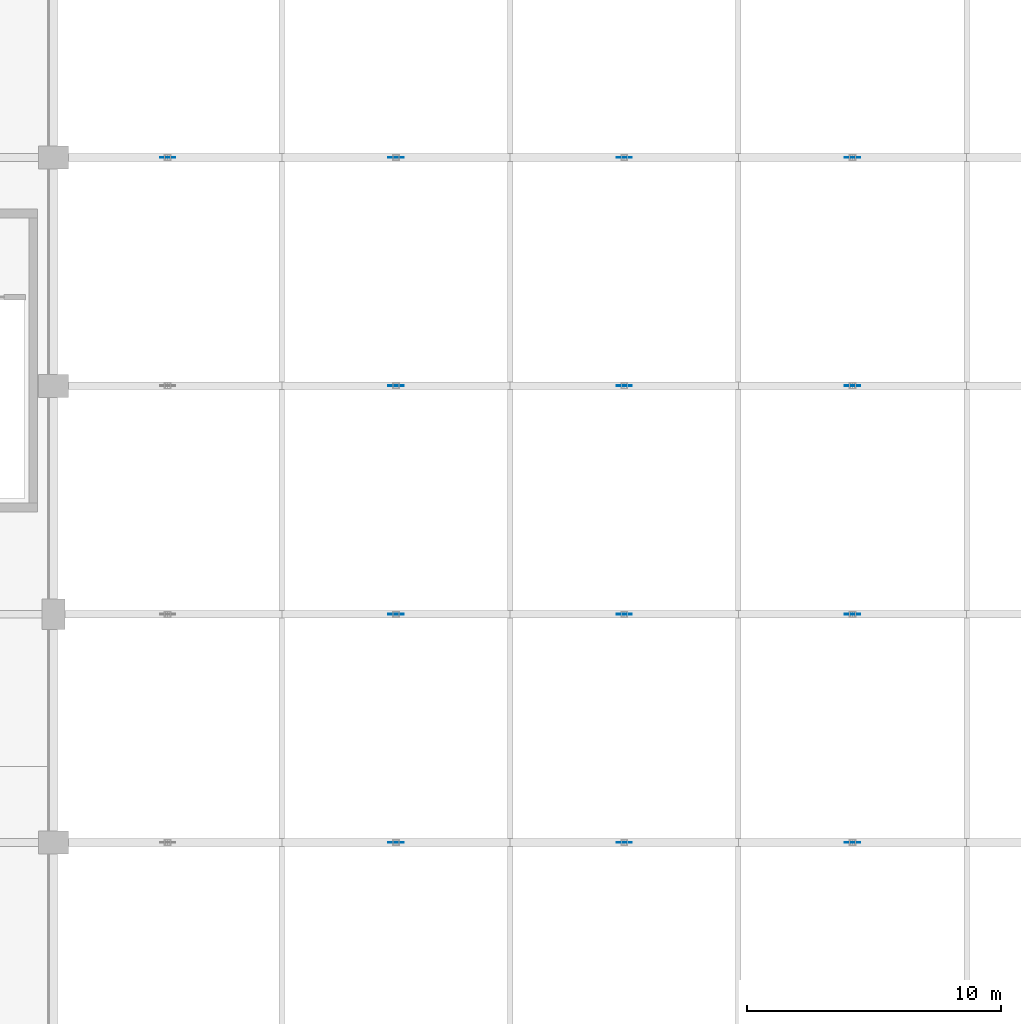
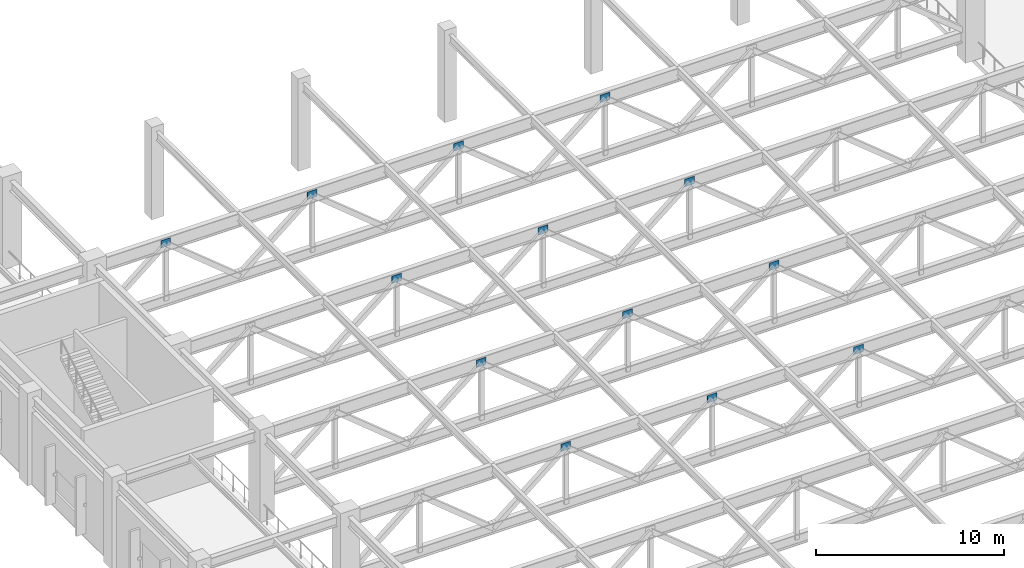
# One storey, part 184 of 223: 13 plates.
"""IFC4 building model written with IfcOpenShell, lengths in metres."""

from ifc_helpers import new_model, si_unit, direction, frame, origin, origin_2d, place, context, subcontext, project, spatial, rectangle, extrude, material, layer, layer_set, type_object, element, save


model = new_model("IFC4")

# Units and contexts
model_context = context("Model", 3, precision=1e-05, world=origin(), true_north=direction((0.0, 1.0)))
body_context = subcontext(model_context, "Body", "Model", "MODEL_VIEW")
ifc_project = project(units=[si_unit("LENGTHUNIT", "METRE"), si_unit("AREAUNIT", "SQUARE_METRE"), si_unit("VOLUMEUNIT", "CUBIC_METRE"), si_unit("PLANEANGLEUNIT", "RADIAN"), si_unit("MASSUNIT", "GRAM", prefix="KILO")], contexts=[model_context])

# Site, building, storey
site_placement = place(None, origin())
site = spatial("IfcSite", under=ifc_project, at=site_placement, CompositionType="ELEMENT")
building_placement = place(site_placement, origin())
building = spatial("IfcBuilding", under=site, at=building_placement, Name="Dornveld Trade and Exhibition Forum", CompositionType="ELEMENT")
storey_placement = place(building_placement, frame((0.0, 0.0, 6.0)))
storey = spatial("IfcBuildingStorey", under=building, at=storey_placement, Name="L01", CompositionType="ELEMENT", Elevation=6.0)

# Plates
ifc_material = material(Name="Steel S355J2", Category="steel")
ifc_layer = layer(ifc_material, 0.031982421875)
ifc_layer_set = layer_set([ifc_layer], Name="Steel S355J2")
plate_type = type_object("IfcPlateType", Name="PL-GUS-600x32", PredefinedType="USERDEFINED", material=ifc_layer_set)
for number, where, z_axis, x_axis, name in (
    (1, (40.5, 99.0, 4.945068359375), (0.0, 0.0, 1.0), (1.0, 0.0, 0.0), "Transfer truss gusset plate 38"),
    (2, (49.5, 99.0, 4.945068359375), (0.0, 0.0, 1.0), (1.0, 0.0, 0.0), "Transfer truss gusset plate 39"),
    (3, (58.5, 99.0, 4.945068359375), (0.0, 0.0, 1.0), (1.0, 0.0, 0.0), "Transfer truss gusset plate 40"),
    (4, (40.5, 108.0, 4.945068359375), (0.0, 0.0, 1.0), (1.0, 0.0, 0.0), "Transfer truss gusset plate 44"),
    (5, (49.5, 108.0, 4.945068359375), (0.0, 0.0, 1.0), (1.0, 0.0, 0.0), "Transfer truss gusset plate 45"),
    (6, (58.5, 108.0, 4.945068359375), (0.0, 0.0, 1.0), (1.0, 0.0, 0.0), "Transfer truss gusset plate 46"),
    (7, (40.5, 117.0, 4.945068359375), (0.0, 0.0, 1.0), (1.0, 0.0, 0.0), "Transfer truss gusset plate 50"),
    (8, (49.5, 117.0, 4.945068359375), (0.0, 0.0, 1.0), (1.0, 0.0, 0.0), "Transfer truss gusset plate 51"),
    (9, (58.5, 117.0, 4.945068359375), (0.0, 0.0, 1.0), (1.0, 0.0, 0.0), "Transfer truss gusset plate 52"),
    (10, (31.5, 126.0, 4.945068359375), (0.0, 0.0, 1.0), (1.0, 0.0, 0.0), "Transfer truss gusset plate 55"),
    (11, (40.5, 126.0, 4.945068359375), (0.0, 0.0, 1.0), (1.0, 0.0, 0.0), "Transfer truss gusset plate 56"),
    (12, (49.5, 126.0, 4.945068359375), (0.0, 0.0, 1.0), (1.0, 0.0, 0.0), "Transfer truss gusset plate 57"),
    (13, (58.5, 126.0, 4.945068359375), (0.0, 0.0, 1.0), (1.0, 0.0, 0.0), "Transfer truss gusset plate 58"),
):
    element("IfcPlate", number, at=place(storey_placement, frame(where, z_axis=z_axis, x_axis=x_axis)), inside=storey, type_object=plate_type, Name=name, ObjectType="GUSSET", PredefinedType="USERDEFINED", context=body_context, shape_type="SweptSolid", body=[
        extrude(rectangle(XDim=0.60009765625, YDim=0.031982421875, at=origin_2d()), origin(), (0.0, 0.0, 1.0), 0.47998046875),
    ])

save(model, "model.ifc")
